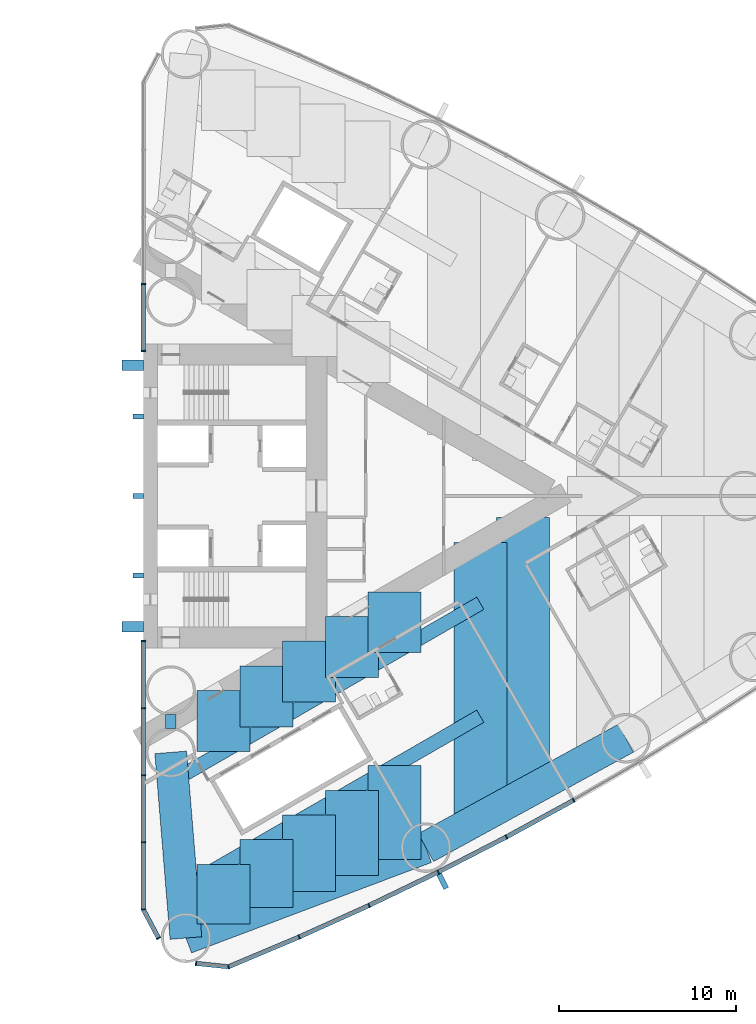
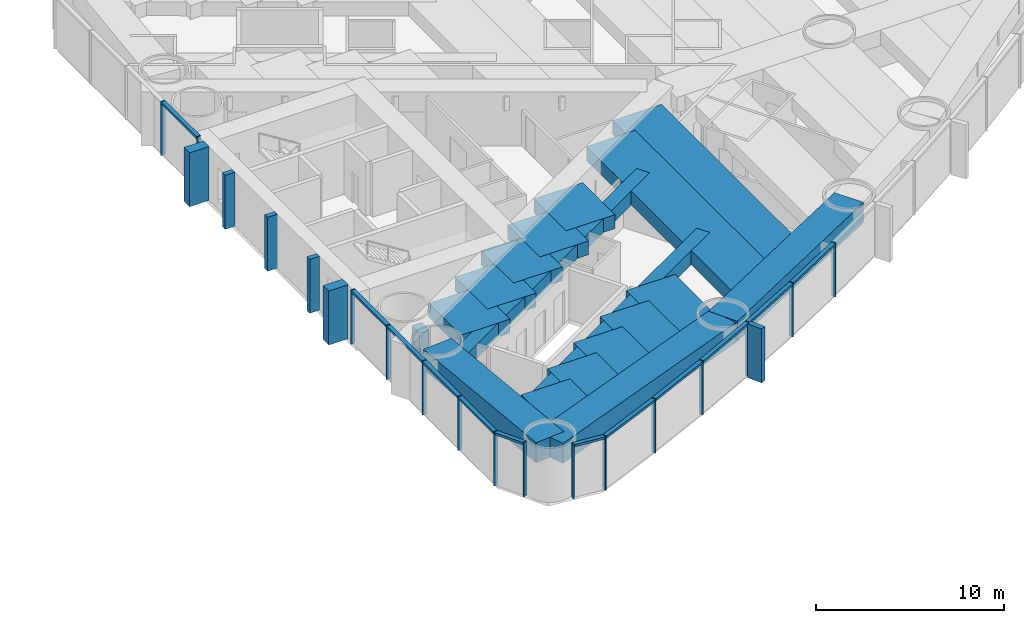
# One storey, part 6 of 19: 33 members, 18 beams, 3 elements without a shape of their own.
"""IFC4 building model written with IfcOpenShell, lengths in metres."""

from ifc_helpers import new_model, si_unit, direction, frame, origin, origin_2d, place, context, subcontext, project, spatial, rectangle, hollow_rectangle, extrude, material, material_profile, profile_set, type_object, element, aggregate, save


model = new_model("IFC4")

# Units and contexts
model_context = context("Model", 3, precision=1e-05, world=origin(), true_north=direction((0.0, 1.0)))
body_context = subcontext(model_context, "Body", "Model", "MODEL_VIEW")
ifc_project = project(units=[si_unit("LENGTHUNIT", "METRE"), si_unit("AREAUNIT", "SQUARE_METRE"), si_unit("VOLUMEUNIT", "CUBIC_METRE"), si_unit("PLANEANGLEUNIT", "RADIAN"), si_unit("MASSUNIT", "GRAM", prefix="KILO")], contexts=[model_context])

# Site, building, storey
site_placement = place(None, origin())
site = spatial("IfcSite", under=ifc_project, at=site_placement, CompositionType="ELEMENT")
building_placement = place(site_placement, origin())
building = spatial("IfcBuilding", under=site, at=building_placement, Name="Lancet Gate Hotel", CompositionType="ELEMENT")
storey_placement = place(building_placement, frame((0.0, 0.0, 18.0)))
storey = spatial("IfcBuildingStorey", under=building, at=storey_placement, Name="L03", CompositionType="ELEMENT", Elevation=18.0)

# Curtain wall, members
ifc_material_1 = material(Name="Aluminium curtain wall", Category="aluminium")
curtain_wall_type = type_object("IfcCurtainWallType", Name="Tower unitised curtain wall", PredefinedType="USERDEFINED", material=ifc_material_1)
curtain_wall_1_placement = place(storey_placement, origin())
curtain_wall_1 = element("IfcCurtainWall", 1, at=curtain_wall_1_placement, inside=storey, type_object=curtain_wall_type, Name="T2 L03 curtain wall 1", ObjectType="UNITISED CURTAIN WALL", PredefinedType="USERDEFINED")
ifc_material_2 = material(Name="Aluminium mullion", Category="aluminium")
ifc_material_profile_1 = material_profile(ifc_material_2, rectangle(XDim=0.06494140625, YDim=0.25, at=origin_2d()), Name="MULLION 65x250")
ifc_profile_set_1 = profile_set([ifc_material_profile_1], Name="Aluminium mullion")
member_type_1 = type_object("IfcMemberType", Name="Aluminium mullion 65x250", PredefinedType="MULLION", material=ifc_profile_set_1)
member_1_placement = place(storey_placement, frame((27.5, -8.199951171875, 0.0), z_axis=(0.0, 0.0, 1.0), x_axis=(0.0, -1.0, 0.0)))
member_1 = element("IfcMember", 2, at=member_1_placement, type_object=member_type_1, Name="T2 L03 curtain wall 1 mullion 1", PredefinedType="MULLION", context=body_context, shape_type="SweptSolid", body=[
    extrude(rectangle(XDim=0.06494140625, YDim=0.25, at=origin_2d()), origin(), (0.0, 0.0, 1.0), 3.5),
])
member_2_placement = place(storey_placement, frame((27.5, -11.99609375, 0.0), z_axis=(0.0, 0.0, 1.0), x_axis=(0.0, -1.0, 0.0)))
member_2 = element("IfcMember", 3, at=member_2_placement, type_object=member_type_1, Name="T2 L03 curtain wall 1 mullion 2", PredefinedType="MULLION", context=body_context, shape_type="SweptSolid", body=[
    extrude(rectangle(XDim=0.06494140625, YDim=0.25, at=origin_2d()), origin(), (0.0, 0.0, 1.0), 3.5),
])
member_3_placement = place(storey_placement, frame((27.5, -15.79248046875, 0.0), z_axis=(0.0, 0.0, 1.0), x_axis=(0.0, -1.0, 0.0)))
member_3 = element("IfcMember", 4, at=member_3_placement, type_object=member_type_1, Name="T2 L03 curtain wall 1 mullion 3", PredefinedType="MULLION", context=body_context, shape_type="SweptSolid", body=[
    extrude(rectangle(XDim=0.06494140625, YDim=0.25, at=origin_2d()), origin(), (0.0, 0.0, 1.0), 3.5),
])
member_4_placement = place(storey_placement, frame((27.5, -19.588623046875, 0.0), z_axis=(0.0, 0.0, 1.0), x_axis=(0.0, -1.0, 0.0)))
member_4 = element("IfcMember", 5, at=member_4_placement, type_object=member_type_1, Name="T2 L03 curtain wall 1 mullion 4", PredefinedType="MULLION", context=body_context, shape_type="SweptSolid", body=[
    extrude(rectangle(XDim=0.06494140625, YDim=0.25, at=origin_2d()), origin(), (0.0, 0.0, 1.0), 3.5),
])
member_5_placement = place(storey_placement, frame((27.5, -23.384765625, 0.0), z_axis=(0.0, 0.0, 1.0), x_axis=(0.157751691459, -0.987478811844, 0.0)))
member_5 = element("IfcMember", 6, at=member_5_placement, type_object=member_type_1, Name="T2 L03 curtain wall 1 mullion 5", PredefinedType="MULLION", context=body_context, shape_type="SweptSolid", body=[
    extrude(rectangle(XDim=0.06494140625, YDim=0.25, at=origin_2d()), origin(), (0.0, 0.0, 1.0), 3.5),
])
member_6_placement = place(storey_placement, frame((28.366455078125, -25.012451171875, 0.0), z_axis=(0.0, 0.0, 1.0), x_axis=(0.469897827284, -0.882720811987, 0.0)))
member_6 = element("IfcMember", 7, at=member_6_placement, type_object=member_type_1, Name="T2 L03 curtain wall 1 mullion 6", PredefinedType="MULLION", context=body_context, shape_type="SweptSolid", body=[
    extrude(rectangle(XDim=0.06494140625, YDim=0.25, at=origin_2d()), origin(), (0.0, 0.0, 1.0), 3.5),
])

curtain_wall_2_placement = place(storey_placement, origin())
curtain_wall_2 = element("IfcCurtainWall", 8, at=curtain_wall_2_placement, inside=storey, type_object=curtain_wall_type, Name="T2 L03 curtain wall 2", ObjectType="UNITISED CURTAIN WALL", PredefinedType="USERDEFINED")
member_7_placement = place(storey_placement, frame((30.48388671875, -26.4375, 0.0), z_axis=(0.0, 0.0, 1.0), x_axis=(0.994672262412, -0.10308778001, 0.0)))
member_7 = element("IfcMember", 9, at=member_7_placement, type_object=member_type_1, Name="T2 L03 curtain wall 2 mullion 1", PredefinedType="MULLION", context=body_context, shape_type="SweptSolid", body=[
    extrude(rectangle(XDim=0.06494140625, YDim=0.25, at=origin_2d()), origin(), (0.0, 0.0, 1.0), 3.5),
])
member_8_placement = place(storey_placement, frame((32.3173828125, -26.62744140625, 0.0), z_axis=(0.0, 0.0, 1.0), x_axis=(0.968721492963, 0.248150496819, 0.0)))
member_8 = element("IfcMember", 10, at=member_8_placement, type_object=member_type_1, Name="T2 L03 curtain wall 2 mullion 2", PredefinedType="MULLION", context=body_context, shape_type="SweptSolid", body=[
    extrude(rectangle(XDim=0.06494140625, YDim=0.25, at=origin_2d()), origin(), (0.0, 0.0, 1.0), 3.5),
])
member_9_placement = place(storey_placement, frame((36.31494140625, -24.943603515625, 0.0), z_axis=(0.0, 0.0, 1.0), x_axis=(0.916578705089, 0.399854320193, 0.0)))
member_9 = element("IfcMember", 11, at=member_9_placement, type_object=member_type_1, Name="T2 L03 curtain wall 2 mullion 3", PredefinedType="MULLION", context=body_context, shape_type="SweptSolid", body=[
    extrude(rectangle(XDim=0.06494140625, YDim=0.25, at=origin_2d()), origin(), (0.0, 0.0, 1.0), 3.5),
])
member_10_placement = place(storey_placement, frame((40.2685546875, -23.15869140625, 0.0), z_axis=(0.0, 0.0, 1.0), x_axis=(0.906104948671, 0.423052977762, 0.0)))
member_10 = element("IfcMember", 12, at=member_10_placement, type_object=member_type_1, Name="T2 L03 curtain wall 2 mullion 4", PredefinedType="MULLION", context=body_context, shape_type="SweptSolid", body=[
    extrude(rectangle(XDim=0.06494140625, YDim=0.25, at=origin_2d()), origin(), (0.0, 0.0, 1.0), 3.5),
])
member_11_placement = place(storey_placement, frame((44.17529296875, -21.273681640625, 0.0), z_axis=(0.0, 0.0, 1.0), x_axis=(0.895044147438, 0.445977548917, 0.0)))
member_11 = element("IfcMember", 13, at=member_11_placement, type_object=member_type_1, Name="T2 L03 curtain wall 2 mullion 5", PredefinedType="MULLION", context=body_context, shape_type="SweptSolid", body=[
    extrude(rectangle(XDim=0.06494140625, YDim=0.25, at=origin_2d()), origin(), (0.0, 0.0, 1.0), 3.5),
])
member_12_placement = place(storey_placement, frame((48.03271484375, -19.2900390625, 0.0), z_axis=(0.0, 0.0, 1.0), x_axis=(0.88340346743, 0.468613181347, 0.0)))
member_12 = element("IfcMember", 14, at=member_12_placement, type_object=member_type_1, Name="T2 L03 curtain wall 2 mullion 6", PredefinedType="MULLION", context=body_context, shape_type="SweptSolid", body=[
    extrude(rectangle(XDim=0.06494140625, YDim=0.25, at=origin_2d()), origin(), (0.0, 0.0, 1.0), 3.5),
])
member_13_placement = place(storey_placement, frame((51.838623046875, -17.208740234375, 0.0), z_axis=(0.0, 0.0, 1.0), x_axis=(0.871190450382, 0.490945209941, 0.0)))
member_13 = element("IfcMember", 15, at=member_13_placement, type_object=member_type_1, Name="T2 L03 curtain wall 2 mullion 7", PredefinedType="MULLION", context=body_context, shape_type="SweptSolid", body=[
    extrude(rectangle(XDim=0.06494140625, YDim=0.25, at=origin_2d()), origin(), (0.0, 0.0, 1.0), 3.5),
])

curtain_wall_3_placement = place(storey_placement, origin())
curtain_wall_3 = element("IfcCurtainWall", 16, at=curtain_wall_3_placement, inside=storey, type_object=curtain_wall_type, Name="T2 L03 curtain wall 4", ObjectType="UNITISED CURTAIN WALL", PredefinedType="USERDEFINED")
member_14_placement = place(storey_placement, frame((27.5, 11.99609375, 0.0), z_axis=(0.0, 0.0, 1.0), x_axis=(0.0, -1.0, 0.0)))
member_14 = element("IfcMember", 17, at=member_14_placement, type_object=member_type_1, Name="T2 L03 curtain wall 4 mullion 5", PredefinedType="MULLION", context=body_context, shape_type="SweptSolid", body=[
    extrude(rectangle(XDim=0.06494140625, YDim=0.25, at=origin_2d()), origin(), (0.0, 0.0, 1.0), 3.5),
])
member_15_placement = place(storey_placement, frame((27.5, 8.199951171875, 0.0), z_axis=(0.0, 0.0, 1.0), x_axis=(0.0, -1.0, 0.0)))
member_15 = element("IfcMember", 18, at=member_15_placement, type_object=member_type_1, Name="T2 L03 curtain wall 4 mullion 6", PredefinedType="MULLION", context=body_context, shape_type="SweptSolid", body=[
    extrude(rectangle(XDim=0.06494140625, YDim=0.25, at=origin_2d()), origin(), (0.0, 0.0, 1.0), 3.5),
])

# Member
ifc_material_3 = material(Name="Aluminium transom", Category="aluminium")
ifc_material_profile_2 = material_profile(ifc_material_3, rectangle(XDim=0.25, YDim=0.14990234375, at=origin_2d()), Name="TRANSOM 250x150")
ifc_profile_set_2 = profile_set([ifc_material_profile_2], Name="Aluminium transom")
member_type_2 = type_object("IfcMemberType", Name="Aluminium transom 250x150", PredefinedType="USERDEFINED", material=ifc_profile_set_2)
member_16_placement = place(storey_placement, frame((27.5, -8.232421875, 3.425048828125), z_axis=(0.0, -1.0, 0.0), x_axis=(1.0, 0.0, 0.0)))
member_16 = element("IfcMember", 19, at=member_16_placement, type_object=member_type_2, Name="T2 L03 curtain wall 1 transom 1", ObjectType="TRANSOM", PredefinedType="USERDEFINED", context=body_context, shape_type="SweptSolid", body=[
    extrude(rectangle(XDim=0.25, YDim=0.14990234375, at=origin_2d()), origin(), (0.0, 0.0, 1.0), 3.731201171875),
])

member_17_placement = place(storey_placement, frame((27.5, -12.02880859375, 3.425048828125), z_axis=(0.0, -1.0, 0.0), x_axis=(1.0, 0.0, 0.0)))
member_17 = element("IfcMember", 20, at=member_17_placement, type_object=member_type_2, Name="T2 L03 curtain wall 1 transom 2", ObjectType="TRANSOM", PredefinedType="USERDEFINED", context=body_context, shape_type="SweptSolid", body=[
    extrude(rectangle(XDim=0.25, YDim=0.14990234375, at=origin_2d()), origin(), (0.0, 0.0, 1.0), 3.731201171875),
])

member_18_placement = place(storey_placement, frame((27.5, -15.824951171875, 3.425048828125), z_axis=(0.0, -1.0, 0.0), x_axis=(1.0, 0.0, 0.0)))
member_18 = element("IfcMember", 21, at=member_18_placement, type_object=member_type_2, Name="T2 L03 curtain wall 1 transom 3", ObjectType="TRANSOM", PredefinedType="USERDEFINED", context=body_context, shape_type="SweptSolid", body=[
    extrude(rectangle(XDim=0.25, YDim=0.14990234375, at=origin_2d()), origin(), (0.0, 0.0, 1.0), 3.731201171875),
])

member_19_placement = place(storey_placement, frame((27.5, -19.62109375, 3.425048828125), z_axis=(0.0, -1.0, 0.0), x_axis=(1.0, 0.0, 0.0)))
member_19 = element("IfcMember", 22, at=member_19_placement, type_object=member_type_2, Name="T2 L03 curtain wall 1 transom 4", ObjectType="TRANSOM", PredefinedType="USERDEFINED", context=body_context, shape_type="SweptSolid", body=[
    extrude(rectangle(XDim=0.25, YDim=0.14990234375, at=origin_2d()), origin(), (0.0, 0.0, 1.0), 3.731201171875),
])

member_20_placement = place(storey_placement, frame((27.515380859375, -23.41357421875, 3.425048828125), z_axis=(0.469904276347, -0.882717378933, 0.0), x_axis=(0.882717378933, 0.469904276347, 0.0)))
member_20 = element("IfcMember", 23, at=member_20_placement, type_object=member_type_2, Name="T2 L03 curtain wall 1 transom 5", ObjectType="TRANSOM", PredefinedType="USERDEFINED", context=body_context, shape_type="SweptSolid", body=[
    extrude(rectangle(XDim=0.25, YDim=0.14990234375, at=origin_2d()), origin(), (0.0, 0.0, 1.0), 1.779052734375),
])

aggregate(curtain_wall_1, [member_1, member_2, member_3, member_4, member_5, member_6, member_16, member_17, member_18, member_19, member_20])

member_21_placement = place(storey_placement, frame((30.516357421875, -26.440673828125, 3.425048828125), z_axis=(0.994670452051, -0.103105246306, 0.0), x_axis=(0.103105246306, 0.994670452051, 0.0)))
member_21 = element("IfcMember", 24, at=member_21_placement, type_object=member_type_2, Name="T2 L03 curtain wall 2 transom 1", ObjectType="TRANSOM", PredefinedType="USERDEFINED", context=body_context, shape_type="SweptSolid", body=[
    extrude(rectangle(XDim=0.25, YDim=0.14990234375, at=origin_2d()), origin(), (0.0, 0.0, 1.0), 1.7783203125),
])

member_22_placement = place(storey_placement, frame((32.347412109375, -26.61474609375, 3.425048828125), z_axis=(0.92159772617, 0.388146404233, 0.0), x_axis=(-0.388146404233, 0.92159772617, 0.0)))
member_22 = element("IfcMember", 25, at=member_22_placement, type_object=member_type_2, Name="T2 L03 curtain wall 2 transom 2", ObjectType="TRANSOM", PredefinedType="USERDEFINED", context=body_context, shape_type="SweptSolid", body=[
    extrude(rectangle(XDim=0.25, YDim=0.14990234375, at=origin_2d()), origin(), (0.0, 0.0, 1.0), 4.272705078125),
])

member_23_placement = place(storey_placement, frame((36.3447265625, -24.930419921875, 3.425048828125), z_axis=(0.911396871737, 0.411528543589, 0.0), x_axis=(-0.411528543589, 0.911396871737, 0.0)))
member_23 = element("IfcMember", 26, at=member_23_placement, type_object=member_type_2, Name="T2 L03 curtain wall 2 transom 3", ObjectType="TRANSOM", PredefinedType="USERDEFINED", context=body_context, shape_type="SweptSolid", body=[
    extrude(rectangle(XDim=0.25, YDim=0.14990234375, at=origin_2d()), origin(), (0.0, 0.0, 1.0), 4.272705078125),
])

member_24_placement = place(storey_placement, frame((40.2978515625, -23.14453125, 3.425048828125), z_axis=(0.900646499888, 0.434552508035, 0.0), x_axis=(-0.434552508035, 0.900646499888, 0.0)))
member_24 = element("IfcMember", 27, at=member_24_placement, type_object=member_type_2, Name="T2 L03 curtain wall 2 transom 4", ObjectType="TRANSOM", PredefinedType="USERDEFINED", context=body_context, shape_type="SweptSolid", body=[
    extrude(rectangle(XDim=0.25, YDim=0.14990234375, at=origin_2d()), origin(), (0.0, 0.0, 1.0), 4.272705078125),
])

member_25_placement = place(storey_placement, frame((44.2041015625, -21.259033203125, 3.425048828125), z_axis=(0.88929576978, 0.457332520002, 0.0), x_axis=(-0.457332520002, 0.88929576978, 0.0)))
member_25 = element("IfcMember", 28, at=member_25_placement, type_object=member_type_2, Name="T2 L03 curtain wall 2 transom 5", ObjectType="TRANSOM", PredefinedType="USERDEFINED", context=body_context, shape_type="SweptSolid", body=[
    extrude(rectangle(XDim=0.25, YDim=0.14990234375, at=origin_2d()), origin(), (0.0, 0.0, 1.0), 4.272705078125),
])

member_26_placement = place(storey_placement, frame((48.061279296875, -19.2744140625, 3.425048828125), z_axis=(0.877377528879, 0.479800658417, 0.0), x_axis=(-0.479800658417, 0.877377528879, 0.0)))
member_26 = element("IfcMember", 29, at=member_26_placement, type_object=member_type_2, Name="T2 L03 curtain wall 2 transom 6", ObjectType="TRANSOM", PredefinedType="USERDEFINED", context=body_context, shape_type="SweptSolid", body=[
    extrude(rectangle(XDim=0.25, YDim=0.14990234375, at=origin_2d()), origin(), (0.0, 0.0, 1.0), 4.272705078125),
])

member_27_placement = place(storey_placement, frame((27.5, 11.963623046875, 3.425048828125), z_axis=(0.0, -1.0, 0.0), x_axis=(1.0, 0.0, 0.0)))
member_27 = element("IfcMember", 30, at=member_27_placement, type_object=member_type_2, Name="T2 L03 curtain wall 4 transom 5", ObjectType="TRANSOM", PredefinedType="USERDEFINED", context=body_context, shape_type="SweptSolid", body=[
    extrude(rectangle(XDim=0.25, YDim=0.14990234375, at=origin_2d()), origin(), (0.0, 0.0, 1.0), 3.731201171875),
])

aggregate(curtain_wall_3, [member_14, member_15, member_27])

# Beams
ifc_material_4 = material(Name="Concrete C50/60", Category="concrete")
ifc_material_profile_3 = material_profile(ifc_material_4, rectangle(XDim=1.800048828125, YDim=1.300048828125, at=origin_2d()), Name="RC 1800x1300")
ifc_profile_set_3 = profile_set([ifc_material_profile_3], Name="Concrete C50/60")
beam_type_1 = type_object("IfcBeamType", Name="Edge beam RC 1800x1300", PredefinedType="SPANDREL", material=ifc_profile_set_3)
beam_1_placement = place(storey_placement, frame((29.9111328125, -25.00244140625, 2.60009765625), z_axis=(0.935736448066, 0.352700013836, 0.0), x_axis=(-0.352700013836, 0.935736448066, 0.0)))
element("IfcBeam", 31, at=beam_1_placement, inside=storey, type_object=beam_type_1, Name="T2 edge beam EB1 L03", PredefinedType="SPANDREL", context=body_context, shape_type="SweptSolid", body=[
    extrude(rectangle(XDim=1.800048828125, YDim=1.300048828125, at=origin_2d()), origin(), (0.0, 0.0, 1.0), 14.505126953125),
])
beam_2_placement = place(storey_placement, frame((43.484130859375, -19.886474609375, 2.60009765625), z_axis=(0.87736889738, 0.479816441893, 0.0), x_axis=(-0.479816441893, 0.87736889738, 0.0)))
element("IfcBeam", 32, at=beam_2_placement, inside=storey, type_object=beam_type_1, Name="T2 edge beam EB1 L03", PredefinedType="SPANDREL", context=body_context, shape_type="SweptSolid", body=[
    extrude(rectangle(XDim=1.800048828125, YDim=1.300048828125, at=origin_2d()), origin(), (0.0, 0.0, 1.0), 12.89208984375),
])
beam_3_placement = place(storey_placement, frame((29.9111328125, -25.00244140625, 2.60009765625), z_axis=(-0.081714744052, 0.996655758326, 0.0), x_axis=(-0.996655758326, -0.081714744052, 0.0)))
element("IfcBeam", 33, at=beam_3_placement, inside=storey, type_object=beam_type_1, Name="T2 edge beam EB1 L03", PredefinedType="SPANDREL", context=body_context, shape_type="SweptSolid", body=[
    extrude(rectangle(XDim=1.800048828125, YDim=1.300048828125, at=origin_2d()), origin(), (0.0, 0.0, 1.0), 10.53759765625),
])

# Members
ifc_material_5 = material(Name="Concrete C60/75", Category="concrete")
ifc_material_profile_4 = material_profile(ifc_material_5, rectangle(XDim=0.60009765625, YDim=1.199951171875, at=origin_2d()), Name="FIN 600x1200")
ifc_profile_set_4 = profile_set([ifc_material_profile_4], Name="Concrete C60/75")
member_type_3 = type_object("IfcMemberType", Name="Exposed concrete buttress pilaster 600x1200", PredefinedType="USERDEFINED", material=ifc_profile_set_4)
for number, where, z_axis, x_axis, name in (
    (34, (26.909912109375, -7.39990234375, 0.0), (0.0, 0.0, 1.0), (0.0, 1.0, 0.0), "T2 buttress pilaster S L03"),
    (35, (26.909912109375, 7.39990234375, 0.0), (0.0, 0.0, 1.0), (0.0, 1.0, 0.0), "T2 buttress pilaster N L03"),
):
    element("IfcMember", number, at=place(storey_placement, frame(where, z_axis=z_axis, x_axis=x_axis)), inside=storey, type_object=member_type_3, Name=name, ObjectType="FIN", PredefinedType="USERDEFINED", context=body_context, shape_type="SweptSolid", body=[
        extrude(rectangle(XDim=0.60009765625, YDim=1.199951171875, at=origin_2d()), origin(), (0.0, 0.0, 1.0), 3.5),
    ])

# Member
ifc_material_6 = material(Name="Precast concrete C50/60", Category="concrete")
ifc_material_profile_5 = material_profile(ifc_material_6, rectangle(XDim=0.300048828125, YDim=0.89990234375, at=origin_2d()), Name="FIN 300x900")
ifc_profile_set_5 = profile_set([ifc_material_profile_5], Name="Precast concrete C50/60")
member_type_4 = type_object("IfcMemberType", Name="Exposed concrete fin 300x900", PredefinedType="USERDEFINED", material=ifc_profile_set_5)
member_28_placement = place(storey_placement, frame((44.431640625, -21.788330078125, 0.0), z_axis=(0.0, 0.0, 1.0), x_axis=(0.895044147438, 0.445977548917, 0.0)))
member_28 = element("IfcMember", 36, at=member_28_placement, type_object=member_type_4, Name="T2 L03 curtain wall 2 fin 5", ObjectType="FIN", PredefinedType="USERDEFINED", context=body_context, shape_type="SweptSolid", body=[
    extrude(rectangle(XDim=0.300048828125, YDim=0.89990234375, at=origin_2d()), origin(), (0.0, 0.0, 1.0), 3.5),
])

aggregate(curtain_wall_2, [member_7, member_8, member_9, member_10, member_11, member_28, member_12, member_13, member_21, member_22, member_23, member_24, member_25, member_26])

# Members
ifc_material_7 = material(Name="Concrete C60/75", Category="concrete")
ifc_material_profile_6 = material_profile(ifc_material_7, rectangle(XDim=0.300048828125, YDim=0.60009765625, at=origin_2d()), Name="FIN 300x600")
ifc_profile_set_6 = profile_set([ifc_material_profile_6], Name="Concrete C60/75")
member_type_5 = type_object("IfcMemberType", Name="Exposed concrete rib 300x600", PredefinedType="USERDEFINED", material=ifc_profile_set_6)
for number, where, z_axis, x_axis, name in (
    (37, (27.2099609375, -4.5, 0.0), (0.0, 0.0, 1.0), (0.0, 1.0, 0.0), "T2 core rib 1 L03"),
    (38, (27.2099609375, 0.0, 0.0), (0.0, 0.0, 1.0), (0.0, 1.0, 0.0), "T2 core rib 2 L03"),
    (39, (27.2099609375, 4.5, 0.0), (0.0, 0.0, 1.0), (0.0, 1.0, 0.0), "T2 core rib 3 L03"),
):
    element("IfcMember", number, at=place(storey_placement, frame(where, z_axis=z_axis, x_axis=x_axis)), inside=storey, type_object=member_type_5, Name=name, ObjectType="FIN", PredefinedType="USERDEFINED", context=body_context, shape_type="SweptSolid", body=[
        extrude(rectangle(XDim=0.300048828125, YDim=0.60009765625, at=origin_2d()), origin(), (0.0, 0.0, 1.0), 3.5),
    ])

# Beams
ifc_material_8 = material(Name="Concrete C50/60", Category="concrete")
ifc_material_profile_7 = material_profile(ifc_material_8, rectangle(XDim=3.0, YDim=0.89990234375, at=origin_2d()), Name="RC 3000x900")
ifc_profile_set_7 = profile_set([ifc_material_profile_7], Name="Concrete C50/60")
beam_type_2 = type_object("IfcBeamType", Name="Floor beam RC 3000x900", PredefinedType="BEAM", material=ifc_profile_set_7)
beam_4_placement = place(storey_placement, frame((46.561767578125, -18.203369140625, 2.800048828125), z_axis=(0.0, 1.0, 0.0), x_axis=(-1.0, 0.0, 0.0)))
element("IfcBeam", 40, at=beam_4_placement, inside=storey, type_object=beam_type_2, Name="T2 floor beam F13S L03", PredefinedType="BEAM", context=body_context, shape_type="SweptSolid", body=[
    extrude(rectangle(XDim=3.0, YDim=0.89990234375, at=origin_2d()), origin(), (0.0, 0.0, 1.0), 15.58203125),
])
beam_5_placement = place(storey_placement, frame((48.98193359375, -16.879638671875, 2.800048828125), z_axis=(0.0, 1.0, 0.0), x_axis=(-1.0, 0.0, 0.0)))
element("IfcBeam", 41, at=beam_5_placement, inside=storey, type_object=beam_type_2, Name="T2 floor beam F15S L03", PredefinedType="BEAM", context=body_context, shape_type="SweptSolid", body=[
    extrude(rectangle(XDim=3.0, YDim=0.89990234375, at=origin_2d()), origin(), (0.0, 0.0, 1.0), 15.655517578125),
])
beam_6_placement = place(storey_placement, frame((32.04052734375, -24.199951171875, 2.800048828125), z_axis=(0.0, 1.0, 0.0), x_axis=(-1.0, 0.0, 0.0)))
element("IfcBeam", 42, at=beam_6_placement, inside=storey, type_object=beam_type_2, Name="T2 floor beam F03SA L03", PredefinedType="BEAM", context=body_context, shape_type="SweptSolid", body=[
    extrude(rectangle(XDim=3.0, YDim=0.89990234375, at=origin_2d()), origin(), (0.0, 0.0, 1.0), 3.361572265625),
])
beam_7_placement = place(storey_placement, frame((32.04052734375, -14.450927734375, 2.800048828125), z_axis=(0.0, 1.0, 0.0), x_axis=(-1.0, 0.0, 0.0)))
element("IfcBeam", 43, at=beam_7_placement, inside=storey, type_object=beam_type_2, Name="T2 floor beam F03SB L03", PredefinedType="BEAM", context=body_context, shape_type="SweptSolid", body=[
    extrude(rectangle(XDim=3.0, YDim=0.89990234375, at=origin_2d()), origin(), (0.0, 0.0, 1.0), 3.445556640625),
])
beam_8_placement = place(storey_placement, frame((34.460693359375, -23.28759765625, 2.800048828125), z_axis=(0.0, 1.0, 0.0), x_axis=(-1.0, 0.0, 0.0)))
element("IfcBeam", 44, at=beam_8_placement, inside=storey, type_object=beam_type_2, Name="T2 floor beam F05SA L03", PredefinedType="BEAM", context=body_context, shape_type="SweptSolid", body=[
    extrude(rectangle(XDim=3.0, YDim=0.89990234375, at=origin_2d()), origin(), (0.0, 0.0, 1.0), 3.846435546875),
])
beam_9_placement = place(storey_placement, frame((34.460693359375, -13.0537109375, 2.800048828125), z_axis=(0.0, 1.0, 0.0), x_axis=(-1.0, 0.0, 0.0)))
element("IfcBeam", 45, at=beam_9_placement, inside=storey, type_object=beam_type_2, Name="T2 floor beam F05SB L03", PredefinedType="BEAM", context=body_context, shape_type="SweptSolid", body=[
    extrude(rectangle(XDim=3.0, YDim=0.89990234375, at=origin_2d()), origin(), (0.0, 0.0, 1.0), 3.44580078125),
])
beam_10_placement = place(storey_placement, frame((36.880859375, -22.37548828125, 2.800048828125), z_axis=(0.0, 1.0, 0.0), x_axis=(-1.0, 0.0, 0.0)))
element("IfcBeam", 46, at=beam_10_placement, inside=storey, type_object=beam_type_2, Name="T2 floor beam F07SA L03", PredefinedType="BEAM", context=body_context, shape_type="SweptSolid", body=[
    extrude(rectangle(XDim=3.0, YDim=0.89990234375, at=origin_2d()), origin(), (0.0, 0.0, 1.0), 4.331787109375),
])
beam_11_placement = place(storey_placement, frame((36.880859375, -11.65625, 2.800048828125), z_axis=(0.0, 1.0, 0.0), x_axis=(-1.0, 0.0, 0.0)))
element("IfcBeam", 47, at=beam_11_placement, inside=storey, type_object=beam_type_2, Name="T2 floor beam F07SB L03", PredefinedType="BEAM", context=body_context, shape_type="SweptSolid", body=[
    extrude(rectangle(XDim=3.0, YDim=0.89990234375, at=origin_2d()), origin(), (0.0, 0.0, 1.0), 3.445556640625),
])
beam_12_placement = place(storey_placement, frame((39.301025390625, -21.463134765625, 2.800048828125), z_axis=(0.0, 1.0, 0.0), x_axis=(-1.0, 0.0, 0.0)))
element("IfcBeam", 48, at=beam_12_placement, inside=storey, type_object=beam_type_2, Name="T2 floor beam F09SA L03", PredefinedType="BEAM", context=body_context, shape_type="SweptSolid", body=[
    extrude(rectangle(XDim=3.0, YDim=0.89990234375, at=origin_2d()), origin(), (0.0, 0.0, 1.0), 4.816650390625),
])
beam_13_placement = place(storey_placement, frame((39.301025390625, -10.259033203125, 2.800048828125), z_axis=(0.0, 1.0, 0.0), x_axis=(-1.0, 0.0, 0.0)))
element("IfcBeam", 49, at=beam_13_placement, inside=storey, type_object=beam_type_2, Name="T2 floor beam F09SB L03", PredefinedType="BEAM", context=body_context, shape_type="SweptSolid", body=[
    extrude(rectangle(XDim=3.0, YDim=0.89990234375, at=origin_2d()), origin(), (0.0, 0.0, 1.0), 3.445556640625),
])
beam_14_placement = place(storey_placement, frame((41.721435546875, -20.55078125, 2.800048828125), z_axis=(0.0, 1.0, 0.0), x_axis=(-1.0, 0.0, 0.0)))
element("IfcBeam", 50, at=beam_14_placement, inside=storey, type_object=beam_type_2, Name="T2 floor beam F11SA L03", PredefinedType="BEAM", context=body_context, shape_type="SweptSolid", body=[
    extrude(rectangle(XDim=3.0, YDim=0.89990234375, at=origin_2d()), origin(), (0.0, 0.0, 1.0), 5.301513671875),
])
beam_15_placement = place(storey_placement, frame((41.721435546875, -8.86181640625, 2.800048828125), z_axis=(0.0, 1.0, 0.0), x_axis=(-1.0, 0.0, 0.0)))
element("IfcBeam", 51, at=beam_15_placement, inside=storey, type_object=beam_type_2, Name="T2 floor beam F11SB L03", PredefinedType="BEAM", context=body_context, shape_type="SweptSolid", body=[
    extrude(rectangle(XDim=3.0, YDim=0.89990234375, at=origin_2d()), origin(), (0.0, 0.0, 1.0), 3.44580078125),
])
ifc_material_9 = material(Name="Steel S460QL", Category="steel")
ifc_material_profile_8 = material_profile(ifc_material_9, hollow_rectangle(XDim=0.60009765625, YDim=1.5, WallThickness=0.050048828125, at=origin_2d()), Name="BOX 1500x600x50")
ifc_profile_set_8 = profile_set([ifc_material_profile_8], Name="Steel S460QL")
beam_type_3 = type_object("IfcBeamType", Name="Inner-face link beam BOX 1500x600x50", PredefinedType="BEAM", material=ifc_profile_set_8)
beam_16_placement = place(storey_placement, frame((29.050048828125, -13.14990234375, 2.5), z_axis=(0.0, 1.0, 0.0), x_axis=(-1.0, 0.0, 0.0)))
element("IfcBeam", 52, at=beam_16_placement, inside=storey, type_object=beam_type_3, Name="T2 inner-face link beam LK1 L03", PredefinedType="BEAM", context=body_context, shape_type="SweptSolid", body=[
    extrude(hollow_rectangle(XDim=0.60009765625, YDim=1.5, WallThickness=0.050048828125, at=origin_2d()), origin(), (0.0, 0.0, 1.0), 0.7998046875),
])
ifc_material_10 = material(Name="Steel S460QL", Category="steel")
ifc_material_profile_9 = material_profile(ifc_material_10, hollow_rectangle(XDim=0.800048828125, YDim=0.89990234375, WallThickness=0.080078125, at=origin_2d()), Name="BOX 900x800x80")
ifc_profile_set_9 = profile_set([ifc_material_profile_9], Name="Steel S460QL")
beam_type_4 = type_object("IfcBeamType", Name="Trimmer beam BOX 900x800x80", PredefinedType="BEAM", material=ifc_profile_set_9)
beam_17_placement = place(storey_placement, frame((29.6201171875, -15.84814453125, 2.800048828125), z_axis=(0.866031171079, 0.49999001062, 0.0), x_axis=(-0.49999001062, 0.866031171079, 0.0)))
element("IfcBeam", 53, at=beam_17_placement, inside=storey, type_object=beam_type_4, Name="T2 trimmer beam TR01S L03", PredefinedType="BEAM", context=body_context, shape_type="SweptSolid", body=[
    extrude(hollow_rectangle(XDim=0.800048828125, YDim=0.89990234375, WallThickness=0.080078125, at=origin_2d()), origin(), (0.0, 0.0, 1.0), 19.5625),
])
beam_18_placement = place(storey_placement, frame((29.681396484375, -22.200439453125, 2.800048828125), z_axis=(0.866031653467, 0.499989175076, 0.0), x_axis=(-0.499989175076, 0.866031653467, 0.0)))
element("IfcBeam", 54, at=beam_18_placement, inside=storey, type_object=beam_type_4, Name="T2 trimmer beam TR02S L03", PredefinedType="BEAM", context=body_context, shape_type="SweptSolid", body=[
    extrude(hollow_rectangle(XDim=0.800048828125, YDim=0.89990234375, WallThickness=0.080078125, at=origin_2d()), origin(), (0.0, 0.0, 1.0), 19.49169921875),
])

save(model, "model.ifc")
